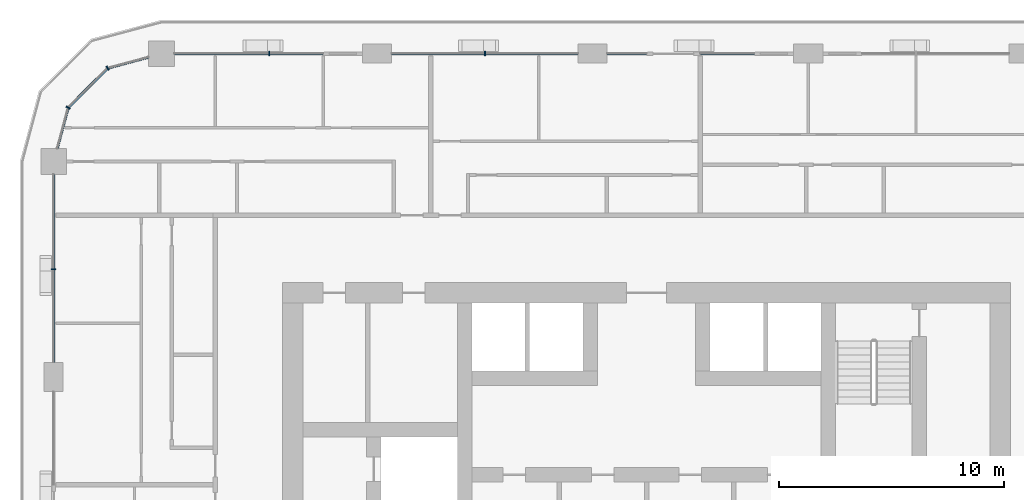
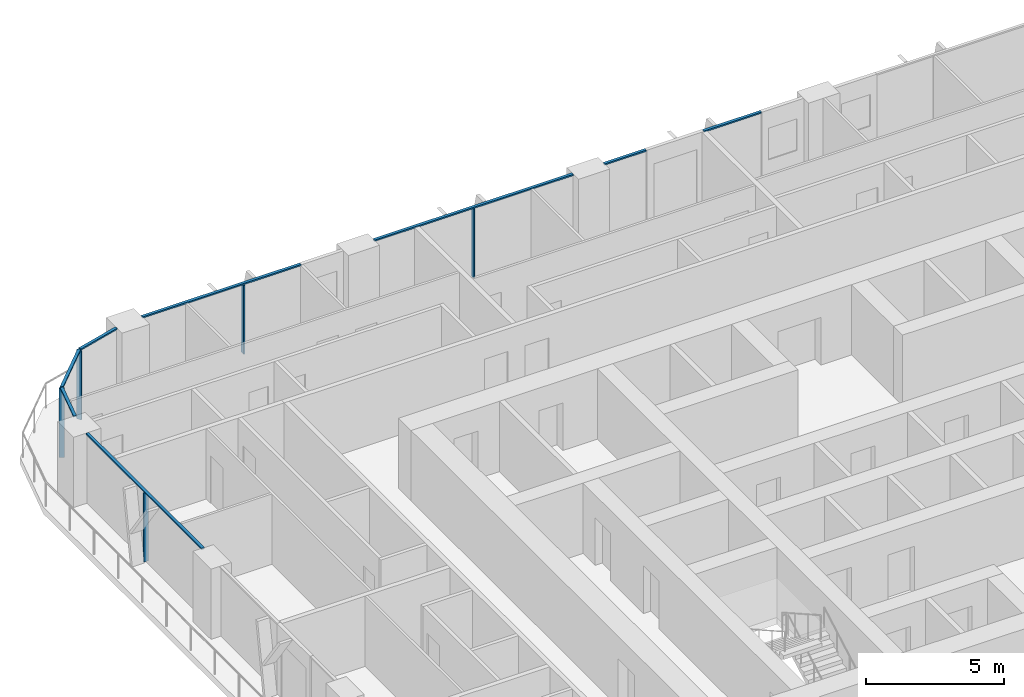
# One storey, part 5 of 21: 13 members, 5 elements without a shape of their own.
"""IFC4 building model written with IfcOpenShell, lengths in metres."""

from ifc_helpers import new_model, si_unit, direction, frame, origin, origin_2d, place, context, subcontext, project, spatial, rectangle, extrude, material, layer, layer_set, material_profile, profile_set, type_object, element, aggregate, save


model = new_model("IFC4")

# Units and contexts
model_context = context("Model", 3, precision=1e-05, world=origin(), true_north=direction((0.0, 1.0)))
body_context = subcontext(model_context, "Body", "Model", "MODEL_VIEW")
ifc_project = project(units=[si_unit("LENGTHUNIT", "METRE"), si_unit("AREAUNIT", "SQUARE_METRE"), si_unit("VOLUMEUNIT", "CUBIC_METRE"), si_unit("PLANEANGLEUNIT", "RADIAN"), si_unit("MASSUNIT", "GRAM", prefix="KILO")], contexts=[model_context])

# Site, building, storey
site_placement = place(None, origin())
site = spatial("IfcSite", under=ifc_project, at=site_placement, CompositionType="ELEMENT")
building_placement = place(site_placement, origin())
building = spatial("IfcBuilding", under=site, at=building_placement, Name="Madar Terraces", CompositionType="ELEMENT")
storey_placement = place(building_placement, frame((0.0, 0.0, 80.300048828125)))
storey = spatial("IfcBuildingStorey", under=building, at=storey_placement, Name="L20", CompositionType="ELEMENT", Elevation=80.300048828125)

# Curtain wall, member
ifc_material_1 = material(Name="Glass, ceramic frit dark grey, with black aluminium frame", Category="aluminium")
ifc_layer = layer(ifc_material_1, 0.199951171875)
ifc_layer_set = layer_set([ifc_layer], Name="Facade curtain wall, fritted glass")
curtain_wall_type = type_object("IfcCurtainWallType", Name="Facade curtain wall, fritted glass", PredefinedType="NOTDEFINED", material=ifc_layer_set)
curtain_wall_1_placement = place(storey_placement, origin())
curtain_wall_1 = element("IfcCurtainWall", 1, at=curtain_wall_1_placement, inside=storey, type_object=curtain_wall_type, Name="Outer skin curtain wall north bay 4", PredefinedType="NOTDEFINED")
ifc_material_2 = material(Name="Aluminium, black anodised", Category="aluminium")
ifc_material_profile_1 = material_profile(ifc_material_2, rectangle(XDim=0.199951171875, YDim=0.06005859375, at=origin_2d()), Name="Facade mullion 60x200")
ifc_profile_set_1 = profile_set([ifc_material_profile_1], Name="Aluminium, black anodised")
member_type_1 = type_object("IfcMemberType", Name="Facade mullion 60x200", PredefinedType="MULLION", material=ifc_profile_set_1)
member_1_placement = place(storey_placement, frame((24.0, 48.0, 0.0), z_axis=(0.0, 0.0, 1.0), x_axis=(0.0, -1.0, 0.0)))
member_1 = element("IfcMember", 2, at=member_1_placement, type_object=member_type_1, Name="Mullion 1", PredefinedType="MULLION", context=body_context, shape_type="SweptSolid", body=[
    extrude(rectangle(XDim=0.199951171875, YDim=0.06005859375, at=origin_2d()), origin(), (0.0, 0.0, 1.0), 3.0400390625),
])

curtain_wall_2_placement = place(storey_placement, origin())
curtain_wall_2 = element("IfcCurtainWall", 3, at=curtain_wall_2_placement, inside=storey, type_object=curtain_wall_type, Name="Outer skin curtain wall north bay 5", PredefinedType="NOTDEFINED")
member_2_placement = place(storey_placement, frame((14.39990234375, 48.0, 0.0), z_axis=(0.0, 0.0, 1.0), x_axis=(0.0, -1.0, 0.0)))
member_2 = element("IfcMember", 4, at=member_2_placement, type_object=member_type_1, Name="Mullion 1", PredefinedType="MULLION", context=body_context, shape_type="SweptSolid", body=[
    extrude(rectangle(XDim=0.199951171875, YDim=0.06005859375, at=origin_2d()), origin(), (0.0, 0.0, 1.0), 3.0400390625),
])

curtain_wall_3_placement = place(storey_placement, origin())
curtain_wall_3 = element("IfcCurtainWall", 5, at=curtain_wall_3_placement, inside=storey, type_object=curtain_wall_type, Name="Outer skin curtain wall west bay 1", PredefinedType="NOTDEFINED")
member_3_placement = place(storey_placement, frame((4.800048828125, 38.39990234375, 0.0), z_axis=(0.0, 0.0, 1.0), x_axis=(1.0, 0.0, 0.0)))
member_3 = element("IfcMember", 6, at=member_3_placement, type_object=member_type_1, Name="Mullion 1", PredefinedType="MULLION", context=body_context, shape_type="SweptSolid", body=[
    extrude(rectangle(XDim=0.199951171875, YDim=0.06005859375, at=origin_2d()), origin(), (0.0, 0.0, 1.0), 3.0400390625),
])

# Curtain wall, members
curtain_wall_4_placement = place(storey_placement, origin())
curtain_wall_4 = element("IfcCurtainWall", 7, at=curtain_wall_4_placement, inside=storey, type_object=curtain_wall_type, Name="Outer skin curtain wall north-west corner", PredefinedType="NOTDEFINED")
member_4_placement = place(storey_placement, frame((7.199951171875, 47.35693359375, 0.0), z_axis=(0.0, 0.0, 1.0), x_axis=(0.499999989586, -0.866025409797, 0.0)))
member_4 = element("IfcMember", 8, at=member_4_placement, type_object=member_type_1, Name="Mullion 1", PredefinedType="MULLION", context=body_context, shape_type="SweptSolid", body=[
    extrude(rectangle(XDim=0.199951171875, YDim=0.06005859375, at=origin_2d()), origin(), (0.0, 0.0, 1.0), 3.0400390625),
])
member_5_placement = place(storey_placement, frame((5.443115234375, 45.60009765625, 0.0), z_axis=(0.0, 0.0, 1.0), x_axis=(0.866025409797, -0.499999989586, 0.0)))
member_5 = element("IfcMember", 9, at=member_5_placement, type_object=member_type_1, Name="Mullion 2", PredefinedType="MULLION", context=body_context, shape_type="SweptSolid", body=[
    extrude(rectangle(XDim=0.199951171875, YDim=0.06005859375, at=origin_2d()), origin(), (0.0, 0.0, 1.0), 3.0400390625),
])

curtain_wall_5_placement = place(storey_placement, origin())
curtain_wall_5 = element("IfcCurtainWall", 10, at=curtain_wall_5_placement, inside=storey, type_object=curtain_wall_type, Name="Outer skin curtain wall north bay 3", PredefinedType="NOTDEFINED")
ifc_material_3 = material(Name="Aluminium, black anodised", Category="aluminium")
ifc_material_profile_2 = material_profile(ifc_material_3, rectangle(XDim=0.1201171875, YDim=0.06005859375, at=origin_2d()), Name="Facade transom 60x120")
ifc_profile_set_2 = profile_set([ifc_material_profile_2], Name="Aluminium, black anodised")
member_type_2 = type_object("IfcMemberType", Name="Facade transom 60x120", PredefinedType="USERDEFINED", material=ifc_profile_set_2)
member_6_placement = place(storey_placement, frame((36.0, 48.0, 3.070068359375), z_axis=(-1.0, 0.0, 0.0), x_axis=(0.0, -1.0, 0.0)))
member_6 = element("IfcMember", 11, at=member_6_placement, type_object=member_type_2, Name="Transom 1", ObjectType="TRANSOM", PredefinedType="USERDEFINED", context=body_context, shape_type="SweptSolid", body=[
    extrude(rectangle(XDim=0.1201171875, YDim=0.06005859375, at=origin_2d()), origin(), (0.0, 0.0, 1.0), 2.39990234375),
])
member_7_placement = place(storey_placement, frame((31.199951171875, 48.0, 3.070068359375), z_axis=(-1.0, 0.0, 0.0), x_axis=(0.0, -1.0, 0.0)))
member_7 = element("IfcMember", 12, at=member_7_placement, type_object=member_type_2, Name="Transom 2", ObjectType="TRANSOM", PredefinedType="USERDEFINED", context=body_context, shape_type="SweptSolid", body=[
    extrude(rectangle(XDim=0.1201171875, YDim=0.06005859375, at=origin_2d()), origin(), (0.0, 0.0, 1.0), 1.75),
])
aggregate(curtain_wall_5, [member_6, member_7])

# Member
member_8_placement = place(storey_placement, frame((28.14990234375, 48.0, 3.070068359375), z_axis=(-1.0, 0.0, 0.0), x_axis=(0.0, -1.0, 0.0)))
member_8 = element("IfcMember", 13, at=member_8_placement, type_object=member_type_2, Name="Transom 1", ObjectType="TRANSOM", PredefinedType="USERDEFINED", context=body_context, shape_type="SweptSolid", body=[
    extrude(rectangle(XDim=0.1201171875, YDim=0.06005859375, at=origin_2d()), origin(), (0.0, 0.0, 1.0), 8.2998046875),
])

aggregate(curtain_wall_1, [member_1, member_8])

member_9_placement = place(storey_placement, frame((16.800048828125, 48.0, 3.070068359375), z_axis=(-1.0, 0.0, 0.0), x_axis=(0.0, -1.0, 0.0)))
member_9 = element("IfcMember", 14, at=member_9_placement, type_object=member_type_2, Name="Transom 1", ObjectType="TRANSOM", PredefinedType="USERDEFINED", context=body_context, shape_type="SweptSolid", body=[
    extrude(rectangle(XDim=0.1201171875, YDim=0.06005859375, at=origin_2d()), origin(), (0.0, 0.0, 1.0), 6.625),
])

aggregate(curtain_wall_2, [member_2, member_9])

member_10_placement = place(storey_placement, frame((4.800048828125, 42.625, 3.070068359375), z_axis=(0.0, -1.0, 0.0), x_axis=(1.0, 0.0, 0.0)))
member_10 = element("IfcMember", 15, at=member_10_placement, type_object=member_type_2, Name="Transom 1", ObjectType="TRANSOM", PredefinedType="USERDEFINED", context=body_context, shape_type="SweptSolid", body=[
    extrude(rectangle(XDim=0.1201171875, YDim=0.06005859375, at=origin_2d()), origin(), (0.0, 0.0, 1.0), 8.375),
])

aggregate(curtain_wall_3, [member_3, member_10])

member_11_placement = place(storey_placement, frame((9.02490234375, 47.845947265625, 3.070068359375), z_axis=(-0.965926950947, -0.258814847786, 0.0), x_axis=(0.258814847786, -0.965926950947, 0.0)))
member_11 = element("IfcMember", 16, at=member_11_placement, type_object=member_type_2, Name="Transom 1", ObjectType="TRANSOM", PredefinedType="USERDEFINED", context=body_context, shape_type="SweptSolid", body=[
    extrude(rectangle(XDim=0.1201171875, YDim=0.06005859375, at=origin_2d()), origin(), (0.0, 0.0, 1.0), 1.859130859375),
])

member_12_placement = place(storey_placement, frame((7.1787109375, 47.335693359375, 3.070068359375), z_axis=(-0.707056433593, -0.707157125196, 0.0), x_axis=(0.707157125196, -0.707056433593, 0.0)))
member_12 = element("IfcMember", 17, at=member_12_placement, type_object=member_type_2, Name="Transom 2", ObjectType="TRANSOM", PredefinedType="USERDEFINED", context=body_context, shape_type="SweptSolid", body=[
    extrude(rectangle(XDim=0.1201171875, YDim=0.06005859375, at=origin_2d()), origin(), (0.0, 0.0, 1.0), 2.424560546875),
])

member_13_placement = place(storey_placement, frame((5.435302734375, 45.571044921875, 3.070068359375), z_axis=(-0.258782024434, -0.965935745187, 0.0), x_axis=(0.965935745187, -0.258782024434, 0.0)))
member_13 = element("IfcMember", 18, at=member_13_placement, type_object=member_type_2, Name="Transom 3", ObjectType="TRANSOM", PredefinedType="USERDEFINED", context=body_context, shape_type="SweptSolid", body=[
    extrude(rectangle(XDim=0.1201171875, YDim=0.06005859375, at=origin_2d()), origin(), (0.0, 0.0, 1.0), 1.859375),
])

aggregate(curtain_wall_4, [member_4, member_11, member_5, member_12, member_13])

save(model, "model.ifc")
